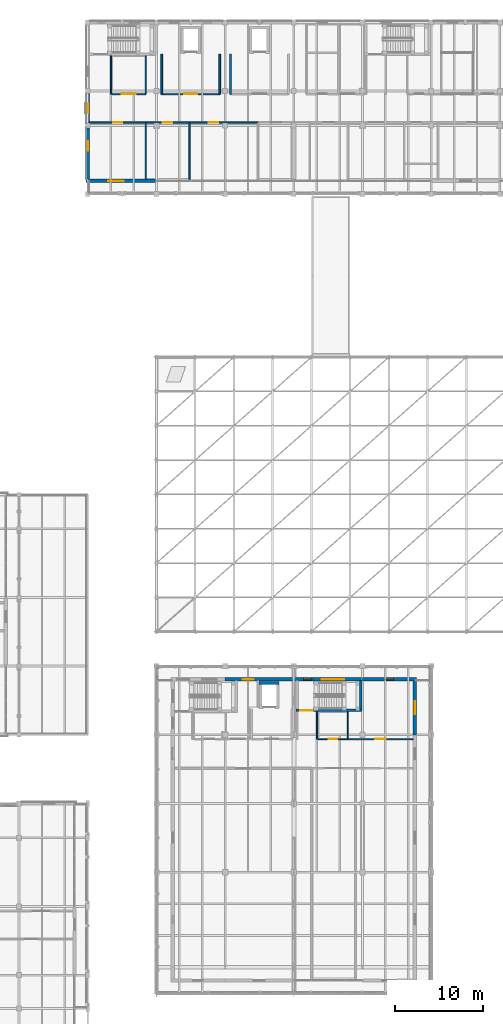
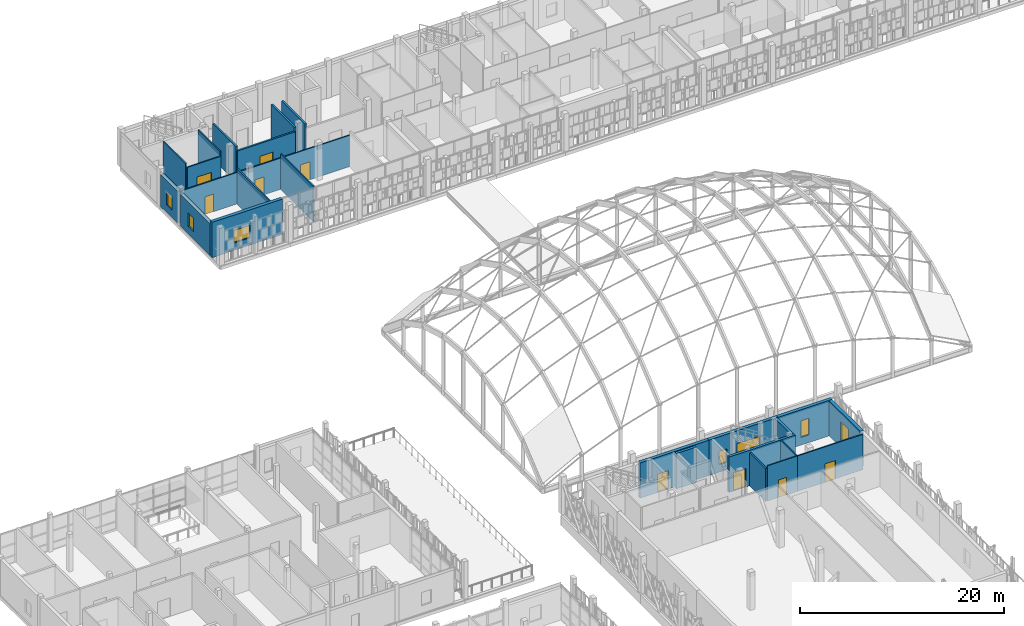
# One storey, part 96 of 119: 26 walls, 9 doors, 7 windows, 16 openings.
"""IFC4 building model written with IfcOpenShell, lengths in metres."""

from ifc_helpers import new_model, si_unit, direction, frame, frame_2d, origin, place, context, subcontext, project, spatial, rectangle, extrude, material, layer, layer_set, type_object, element, fill, save


model = new_model("IFC4")

# Units and contexts
model_context = context("Model", 3, precision=1e-05, world=origin(), true_north=direction((0.0, 1.0)))
body_context = subcontext(model_context, "Body", "Model", "MODEL_VIEW")
ifc_project = project(units=[si_unit("LENGTHUNIT", "METRE"), si_unit("AREAUNIT", "SQUARE_METRE"), si_unit("VOLUMEUNIT", "CUBIC_METRE"), si_unit("PLANEANGLEUNIT", "RADIAN"), si_unit("MASSUNIT", "GRAM", prefix="KILO")], contexts=[model_context])

# Site, building, storey
site_placement = place(None, origin())
site = spatial("IfcSite", under=ifc_project, at=site_placement, CompositionType="ELEMENT")
building_placement = place(site_placement, origin())
building = spatial("IfcBuilding", under=site, at=building_placement, Name="Celorna Specialist Clinic", CompositionType="ELEMENT")
storey_placement = place(building_placement, frame((0.0, 0.0, 9.60009765625)))
storey = spatial("IfcBuildingStorey", under=building, at=storey_placement, Name="L02", CompositionType="ELEMENT", Elevation=9.60009765625)

# Wall, opening, window
ifc_material_1 = material(Name="Terracotta masonry with insulated cavity", Category="masonry")
ifc_layer_1 = layer(ifc_material_1, 0.3798828125, Name="Terracotta masonry with insulated cavity")
ifc_layer_set_1 = layer_set([ifc_layer_1], Name="Terracotta masonry with insulated cavity")
wall_type_1 = type_object("IfcWallType", Name="WT-06", PredefinedType="STANDARD", material=ifc_layer_set_1)
wall_1_placement = place(storey_placement, frame((54.60009765625, 98.0, 0.0), z_axis=(0.0, 0.0, 1.0), x_axis=(-1.0, 0.0, 0.0)))
wall_1 = element("IfcWall", 1, at=wall_1_placement, inside=storey, type_object=wall_type_1, Name="External facade wall WT-06 #230", PredefinedType="STANDARD", context=body_context, shape_type="SweptSolid", body=[
    extrude(rectangle(XDim=7.989990234375, YDim=0.3798828125, at=frame_2d((3.9951171875, 0.0))), origin(), (0.0, 0.0, 1.0), 4.239990234375),
])
opening_1_placement = place(wall_1_placement, frame((3.68994140625, 0.0, 0.89990234375)))
opening_1 = element("IfcOpeningElement", 2, at=opening_1_placement, cuts=wall_1, Name="Opening WN-12", PredefinedType="OPENING", context=body_context, shape_type="SweptSolid", body=[
    extrude(rectangle(XDim=1.800048828125, YDim=1.5, at=frame_2d((0.89990234375, 0.75))), frame((0.0, 0.199951171875, 0.0), z_axis=(0.0, -1.0, 0.0), x_axis=(1.0, 0.0, 0.0)), (0.0, 0.0, 1.0), 0.39990234375),
])
ifc_material_2 = material(Name="Thermally broken aluminium triple-glazed window", Category="aluminium")
window_type_1 = type_object("IfcWindowType", Name="WN-12", PartitioningType="SINGLE_PANEL", PredefinedType="WINDOW", material=ifc_material_2)
window_1_placement = place(opening_1_placement, origin())
window_1 = element("IfcWindow", 3, at=window_1_placement, inside=storey, type_object=window_type_1, Name="Facade window WN-12 #111", OverallHeight=1.5, OverallWidth=1.800048828125, PartitioningType="SINGLE_PANEL", PredefinedType="WINDOW", context=body_context, shape_type="SweptSolid", body=[
    extrude(rectangle(XDim=1.800048828125, YDim=1.5, at=frame_2d((0.89990234375, 0.75))), frame((0.0, 0.030029296875, 0.0), z_axis=(0.0, -1.0, 0.0), x_axis=(1.0, 0.0, 0.0)), (0.0, 0.0, 1.0), 0.06005859375),
])
fill(opening_1, window_1)

wall_2_placement = place(storey_placement, frame((46.800048828125, 98.18994140625, 0.0), z_axis=(0.0, 0.0, 1.0), x_axis=(0.0, 1.0, 0.0)))
wall_2 = element("IfcWall", 4, at=wall_2_placement, inside=storey, type_object=wall_type_1, Name="External facade wall WT-06 #248", PredefinedType="STANDARD", context=body_context, shape_type="SweptSolid", body=[
    extrude(rectangle(XDim=5.8349609375, YDim=0.3798828125, at=frame_2d((2.91748046875, 0.0))), origin(), (0.0, 0.0, 1.0), 3.83984375),
])
opening_2_placement = place(wall_2_placement, frame((3.237548828125, 0.0, 0.89990234375)))
opening_2 = element("IfcOpeningElement", 5, at=opening_2_placement, cuts=wall_2, Name="Opening WN-03", PredefinedType="OPENING", context=body_context, shape_type="SweptSolid", body=[
    extrude(rectangle(XDim=1.10009765625, YDim=1.60009765625, at=frame_2d((0.550048828125, 0.800048828125))), frame((0.0, 0.199951171875, 0.0), z_axis=(0.0, -1.0, 0.0), x_axis=(1.0, 0.0, 0.0)), (0.0, 0.0, 1.0), 0.39990234375),
])
window_type_2 = type_object("IfcWindowType", Name="WN-03", PartitioningType="SINGLE_PANEL", PredefinedType="WINDOW", material=ifc_material_2)
window_2_placement = place(opening_2_placement, origin())
window_2 = element("IfcWindow", 6, at=window_2_placement, inside=storey, type_object=window_type_2, Name="Facade window WN-03 #127", OverallHeight=1.60009765625, OverallWidth=1.10009765625, PartitioningType="SINGLE_PANEL", PredefinedType="WINDOW", context=body_context, shape_type="SweptSolid", body=[
    extrude(rectangle(XDim=1.10009765625, YDim=1.60009765625, at=frame_2d((0.550048828125, 0.800048828125))), frame((0.0, 0.030029296875, 0.0), z_axis=(0.0, -1.0, 0.0), x_axis=(1.0, 0.0, 0.0)), (0.0, 0.0, 1.0), 0.06005859375),
])
fill(opening_2, window_2)

wall_3_placement = place(storey_placement, frame((46.800048828125, 104.574951171875, 0.0), z_axis=(0.0, 0.0, 1.0), x_axis=(0.0, 1.0, 0.0)))
wall_3 = element("IfcWall", 7, at=wall_3_placement, inside=storey, type_object=wall_type_1, Name="External facade wall WT-06 #249", PredefinedType="STANDARD", context=body_context, shape_type="SweptSolid", body=[
    extrude(rectangle(XDim=3.35009765625, YDim=0.3798828125, at=frame_2d((1.675048828125, 0.0))), origin(), (0.0, 0.0, 1.0), 3.83984375),
])
opening_3_placement = place(wall_3_placement, frame((1.14990234375, 0.0, 0.89990234375)))
opening_3 = element("IfcOpeningElement", 8, at=opening_3_placement, cuts=wall_3, Name="Opening WN-21", PredefinedType="OPENING", context=body_context, shape_type="SweptSolid", body=[
    extrude(rectangle(XDim=1.050048828125, YDim=1.64990234375, at=frame_2d((0.52490234375, 0.824951171875))), frame((0.0, 0.199951171875, 0.0), z_axis=(0.0, -1.0, 0.0), x_axis=(1.0, 0.0, 0.0)), (0.0, 0.0, 1.0), 0.39990234375),
])
window_type_3 = type_object("IfcWindowType", Name="WN-21", PartitioningType="SINGLE_PANEL", PredefinedType="WINDOW", material=ifc_material_2)
window_3_placement = place(opening_3_placement, origin())
window_3 = element("IfcWindow", 9, at=window_3_placement, inside=storey, type_object=window_type_3, Name="Facade window WN-21 #128", OverallHeight=1.64990234375, OverallWidth=1.050048828125, PartitioningType="SINGLE_PANEL", PredefinedType="WINDOW", context=body_context, shape_type="SweptSolid", body=[
    extrude(rectangle(XDim=1.050048828125, YDim=1.64990234375, at=frame_2d((0.52490234375, 0.824951171875))), frame((0.0, 0.030029296875, 0.0), z_axis=(0.0, -1.0, 0.0), x_axis=(1.0, 0.0, 0.0)), (0.0, 0.0, 1.0), 0.06005859375),
])
fill(opening_3, window_3)

# Wall, opening, door
wall_4_placement = place(storey_placement, frame((62.39990234375, 41.39990234375, 0.0), z_axis=(0.0, 0.0, 1.0), x_axis=(1.0, 0.0, 0.0)))
wall_4 = element("IfcWall", 10, at=wall_4_placement, inside=storey, type_object=wall_type_1, Name="External facade wall WT-06 #395", PredefinedType="STANDARD", context=body_context, shape_type="SweptSolid", body=[
    extrude(rectangle(XDim=7.800048828125, YDim=0.3798828125, at=frame_2d((3.89990234375, 0.0))), origin(), (0.0, 0.0, 1.0), 4.239990234375),
])
opening_4_placement = place(wall_4_placement, frame((1.97509765625, 0.0, 0.0)))
opening_4 = element("IfcOpeningElement", 11, at=opening_4_placement, cuts=wall_4, Name="Opening DR-13", PredefinedType="OPENING", context=body_context, shape_type="SweptSolid", body=[
    extrude(rectangle(XDim=1.25, YDim=2.199951171875, at=frame_2d((0.625, 1.10009765625))), frame((0.0, 0.199951171875, 0.0), z_axis=(0.0, -1.0, 0.0), x_axis=(1.0, 0.0, 0.0)), (0.0, 0.0, 1.0), 0.39990234375),
])
ifc_material_3 = material(Name="Thermally broken glazed terrace door")
door_type_1 = type_object("IfcDoorType", Name="DR-13", OperationType="NOTDEFINED", PredefinedType="DOOR", material=ifc_material_3)
door_1_placement = place(opening_4_placement, frame((1.25, 0.0, 0.0), z_axis=(0.0, 0.0, 1.0), x_axis=(-1.0, 0.0, 0.0)))
door_1 = element("IfcDoor", 12, at=door_1_placement, inside=storey, type_object=door_type_1, Name="Terrace access door TER-V6-N-L02", OperationType="SINGLE_SWING_LEFT", OverallHeight=2.199951171875, OverallWidth=1.25, PredefinedType="DOOR", context=body_context, shape_type="SweptSolid", body=[
    extrude(rectangle(XDim=1.25, YDim=2.199951171875, at=frame_2d((0.625, 1.10009765625))), frame((0.0, 0.02490234375, 0.0), z_axis=(0.0, -1.0, 0.0), x_axis=(1.0, 0.0, 0.0)), (0.0, 0.0, 1.0), 0.050048828125),
])
fill(opening_4, door_1)

# Wall, openings, windows
wall_5_placement = place(storey_placement, frame((70.199951171875, 41.39990234375, 0.0), z_axis=(0.0, 0.0, 1.0), x_axis=(1.0, 0.0, 0.0)))
wall_5 = element("IfcWall", 13, at=wall_5_placement, inside=storey, type_object=wall_type_1, Name="External facade wall WT-06 #396", PredefinedType="STANDARD", context=body_context, shape_type="SweptSolid", body=[
    extrude(rectangle(XDim=7.800048828125, YDim=0.3798828125, at=frame_2d((3.89990234375, 0.0))), origin(), (0.0, 0.0, 1.0), 4.239990234375),
])
opening_5_placement = place(wall_5_placement, frame((1.114990234375, 0.0, 0.89990234375)))
opening_5 = element("IfcOpeningElement", 14, at=opening_5_placement, cuts=wall_5, Name="Opening WN-01", PredefinedType="OPENING", context=body_context, shape_type="SweptSolid", body=[
    extrude(rectangle(XDim=0.89990234375, YDim=1.60009765625, at=frame_2d((0.449951171875, 0.800048828125))), frame((0.0, 0.199951171875, 0.0), z_axis=(0.0, -1.0, 0.0), x_axis=(1.0, 0.0, 0.0)), (0.0, 0.0, 1.0), 0.39990234375),
])
opening_6_placement = place(wall_5_placement, frame((3.175048828125, 0.0, 0.89990234375)))
opening_6 = element("IfcOpeningElement", 15, at=opening_6_placement, cuts=wall_5, Name="Opening WN-28", PredefinedType="OPENING", context=body_context, shape_type="SweptSolid", body=[
    extrude(rectangle(XDim=2.550048828125, YDim=1.800048828125, at=frame_2d((1.27490234375, 0.89990234375))), frame((0.0, 0.199951171875, 0.0), z_axis=(0.0, -1.0, 0.0), x_axis=(1.0, 0.0, 0.0)), (0.0, 0.0, 1.0), 0.39990234375),
])
window_type_4 = type_object("IfcWindowType", Name="WN-01", PartitioningType="SINGLE_PANEL", PredefinedType="WINDOW", material=ifc_material_2)
window_4_placement = place(opening_5_placement, origin())
window_4 = element("IfcWindow", 16, at=window_4_placement, inside=storey, type_object=window_type_4, Name="Facade window WN-01 #258", OverallHeight=1.60009765625, OverallWidth=0.89990234375, PartitioningType="SINGLE_PANEL", PredefinedType="WINDOW", context=body_context, shape_type="SweptSolid", body=[
    extrude(rectangle(XDim=0.89990234375, YDim=1.60009765625, at=frame_2d((0.449951171875, 0.800048828125))), frame((0.0, 0.030029296875, 0.0), z_axis=(0.0, -1.0, 0.0), x_axis=(1.0, 0.0, 0.0)), (0.0, 0.0, 1.0), 0.06005859375),
])
fill(opening_5, window_4)
ifc_material_4 = material(Name="Panoramic rehabilitation daylight window")
window_type_5 = type_object("IfcWindowType", Name="WN-28", PartitioningType="SINGLE_PANEL", PredefinedType="WINDOW", material=ifc_material_4)
window_5_placement = place(opening_6_placement, origin())
window_5 = element("IfcWindow", 17, at=window_5_placement, inside=storey, type_object=window_type_5, Name="Facade window WN-28 #259", OverallHeight=1.800048828125, OverallWidth=2.550048828125, PartitioningType="SINGLE_PANEL", PredefinedType="WINDOW", context=body_context, shape_type="SweptSolid", body=[
    extrude(rectangle(XDim=2.550048828125, YDim=1.800048828125, at=frame_2d((1.27490234375, 0.89990234375))), frame((0.0, 0.030029296875, 0.0), z_axis=(0.0, -1.0, 0.0), x_axis=(1.0, 0.0, 0.0)), (0.0, 0.0, 1.0), 0.06005859375),
])
fill(opening_6, window_5)

# Wall, opening, window
wall_6_placement = place(storey_placement, frame((78.0, 41.39990234375, 0.0), z_axis=(0.0, 0.0, 1.0), x_axis=(1.0, 0.0, 0.0)))
wall_6 = element("IfcWall", 18, at=wall_6_placement, inside=storey, type_object=wall_type_1, Name="External facade wall WT-06 #397", PredefinedType="STANDARD", context=body_context, shape_type="SweptSolid", body=[
    extrude(rectangle(XDim=6.139892578125, YDim=0.3798828125, at=frame_2d((3.06982421875, 0.0))), origin(), (0.0, 0.0, 1.0), 4.239990234375),
])
opening_7_placement = place(wall_6_placement, frame((2.6201171875, 0.0, 0.89990234375)))
opening_7 = element("IfcOpeningElement", 19, at=opening_7_placement, cuts=wall_6, Name="Opening WN-02", PredefinedType="OPENING", context=body_context, shape_type="SweptSolid", body=[
    extrude(rectangle(XDim=0.89990234375, YDim=2.0, at=frame_2d((0.449951171875, 1.0))), frame((0.0, 0.199951171875, 0.0), z_axis=(0.0, -1.0, 0.0), x_axis=(1.0, 0.0, 0.0)), (0.0, 0.0, 1.0), 0.39990234375),
])
window_type_6 = type_object("IfcWindowType", Name="WN-02", PartitioningType="SINGLE_PANEL", PredefinedType="WINDOW", material=ifc_material_2)
window_6_placement = place(opening_7_placement, origin())
window_6 = element("IfcWindow", 20, at=window_6_placement, inside=storey, type_object=window_type_6, Name="Facade window WN-02 #260", OverallHeight=2.0, OverallWidth=0.89990234375, PartitioningType="SINGLE_PANEL", PredefinedType="WINDOW", context=body_context, shape_type="SweptSolid", body=[
    extrude(rectangle(XDim=0.89990234375, YDim=2.0, at=frame_2d((0.449951171875, 1.0))), frame((0.0, 0.030029296875, 0.0), z_axis=(0.0, -1.0, 0.0), x_axis=(1.0, 0.0, 0.0)), (0.0, 0.0, 1.0), 0.06005859375),
])
fill(opening_7, window_6)

wall_7_placement = place(storey_placement, frame((83.949951171875, 41.2099609375, 0.0), z_axis=(0.0, 0.0, 1.0), x_axis=(0.0, -1.0, 0.0)))
wall_7 = element("IfcWall", 21, at=wall_7_placement, inside=storey, type_object=wall_type_1, Name="External facade wall WT-06 #407", PredefinedType="STANDARD", context=body_context, shape_type="SweptSolid", body=[
    extrude(rectangle(XDim=6.10986328125, YDim=0.3798828125, at=frame_2d((3.054931640625, 0.0))), origin(), (0.0, 0.0, 1.0), 4.239990234375),
])
opening_8_placement = place(wall_7_placement, frame((2.304931640625, 0.0, 0.89990234375)))
opening_8 = element("IfcOpeningElement", 22, at=opening_8_placement, cuts=wall_7, Name="Opening WN-10", PredefinedType="OPENING", context=body_context, shape_type="SweptSolid", body=[
    extrude(rectangle(XDim=1.5, YDim=2.199951171875, at=frame_2d((0.75, 1.10009765625))), frame((0.0, 0.199951171875, 0.0), z_axis=(0.0, -1.0, 0.0), x_axis=(1.0, 0.0, 0.0)), (0.0, 0.0, 1.0), 0.39990234375),
])
window_type_7 = type_object("IfcWindowType", Name="WN-10", PartitioningType="SINGLE_PANEL", PredefinedType="WINDOW", material=ifc_material_2)
window_7_placement = place(opening_8_placement, origin())
window_7 = element("IfcWindow", 23, at=window_7_placement, inside=storey, type_object=window_type_7, Name="Facade window WN-10 #267", OverallHeight=2.199951171875, OverallWidth=1.5, PartitioningType="SINGLE_PANEL", PredefinedType="WINDOW", context=body_context, shape_type="SweptSolid", body=[
    extrude(rectangle(XDim=1.5, YDim=2.199951171875, at=frame_2d((0.75, 1.10009765625))), frame((0.0, 0.030029296875, 0.0), z_axis=(0.0, -1.0, 0.0), x_axis=(1.0, 0.0, 0.0)), (0.0, 0.0, 1.0), 0.06005859375),
])
fill(opening_8, window_7)

# Wall, opening, door
ifc_material_5 = material(Name="Concrete C35/45", Category="concrete")
ifc_layer_2 = layer(ifc_material_5, 0.300048828125, Name="Concrete C35/45")
ifc_layer_set_2 = layer_set([ifc_layer_2], Name="Concrete C35/45")
wall_type_2 = type_object("IfcWallType", Name="WT-08", PredefinedType="SHEAR", material=ifc_layer_set_2)
wall_8_placement = place(storey_placement, frame((70.43994140625, 37.8701171875, 0.0), z_axis=(0.0, 0.0, 1.0), x_axis=(1.0, 0.0, 0.0)))
wall_8 = element("IfcWall", 24, at=wall_8_placement, inside=storey, type_object=wall_type_2, Name="Stair ST-09 RC core wall L02 south", PredefinedType="SHEAR", context=body_context, shape_type="SweptSolid", body=[
    extrude(rectangle(XDim=7.5, YDim=0.300048828125, at=frame_2d((3.75, 0.0))), origin(), (0.0, 0.0, 1.0), 4.239990234375),
])
opening_9_placement = place(wall_8_placement, frame((0.5, 0.0, 0.0)))
opening_9 = element("IfcOpeningElement", 25, at=opening_9_placement, cuts=wall_8, Name="Opening DR-10", PredefinedType="OPENING", context=body_context, shape_type="SweptSolid", body=[
    extrude(rectangle(XDim=1.39990234375, YDim=2.199951171875, at=frame_2d((0.699951171875, 1.10009765625))), frame((0.0, 0.159912109375, 0.0), z_axis=(0.0, -1.0, 0.0), x_axis=(1.0, 0.0, 0.0)), (0.0, 0.0, 1.0), 0.320068359375),
])
ifc_material_6 = material(Name="Protected exit stair fire door")
door_type_2 = type_object("IfcDoorType", Name="DR-10", OperationType="NOTDEFINED", PredefinedType="DOOR", material=ifc_material_6)
door_2_placement = place(opening_9_placement, origin())
door_2 = element("IfcDoor", 26, at=door_2_placement, inside=storey, type_object=door_type_2, Name="Protected exit stair door ST-09 L02", OperationType="SINGLE_SWING_RIGHT", OverallHeight=2.199951171875, OverallWidth=1.39990234375, PredefinedType="DOOR", context=body_context, shape_type="SweptSolid", body=[
    extrude(rectangle(XDim=1.39990234375, YDim=2.199951171875, at=frame_2d((0.699951171875, 1.10009765625))), frame((0.0, 0.02490234375, 0.0), z_axis=(0.0, -1.0, 0.0), x_axis=(1.0, 0.0, 0.0)), (0.0, 0.0, 1.0), 0.050048828125),
])
fill(opening_9, door_2)

# Walls
wall_9_placement = place(storey_placement, frame((77.7900390625, 38.02001953125, 0.0), z_axis=(0.0, 0.0, 1.0), x_axis=(0.0, 1.0, 0.0)))
element("IfcWall", 27, at=wall_9_placement, inside=storey, type_object=wall_type_2, Name="Stair ST-09 RC core wall L02 east", PredefinedType="SHEAR", context=body_context, shape_type="SweptSolid", body=[
    extrude(rectangle(XDim=3.22998046875, YDim=0.300048828125, at=frame_2d((1.614990234375, 0.0))), origin(), (0.0, 0.0, 1.0), 4.239990234375),
])
wall_10_placement = place(storey_placement, frame((68.52490234375, 40.97509765625, 0.0), z_axis=(0.0, 0.0, 1.0), x_axis=(-1.0, 0.0, 0.0)))
element("IfcWall", 28, at=wall_10_placement, inside=storey, type_object=wall_type_2, Name="Lift LF-07 RC shaft wall L02", PredefinedType="SHEAR", context=body_context, shape_type="SweptSolid", body=[
    extrude(rectangle(XDim=2.25, YDim=0.300048828125, at=frame_2d((1.125, 0.0))), origin(), (0.0, 0.0, 1.0), 4.239990234375),
])

# Wall, opening, door
ifc_layer_3 = layer(ifc_material_5, 0.199951171875, Name="Concrete C35/45")
ifc_layer_set_3 = layer_set([ifc_layer_3], Name="Concrete C35/45")
wall_type_3 = type_object("IfcWallType", Name="WT-12", PredefinedType="SOLIDWALL", material=ifc_layer_set_3)
wall_11_placement = place(storey_placement, frame((55.199951171875, 107.85009765625, 0.0), z_axis=(0.0, 0.0, 1.0), x_axis=(1.0, 0.0, 0.0)))
wall_11 = element("IfcWall", 29, at=wall_11_placement, inside=storey, type_object=wall_type_3, Name="Firefighting lobby wall LF-01 L02", PredefinedType="SOLIDWALL", context=body_context, shape_type="SweptSolid", body=[
    extrude(rectangle(XDim=6.60009765625, YDim=0.199951171875, at=frame_2d((3.300048828125, 0.0))), origin(), (0.0, 0.0, 1.0), 3.739990234375),
])
opening_10_placement = place(wall_11_placement, frame((2.550048828125, 0.0, 0.0)))
opening_10 = element("IfcOpeningElement", 30, at=opening_10_placement, cuts=wall_11, Name="Opening DR-11", PredefinedType="OPENING", context=body_context, shape_type="SweptSolid", body=[
    extrude(rectangle(XDim=1.5, YDim=2.199951171875, at=frame_2d((0.75, 1.10009765625))), frame((0.0, 0.10986328125, 0.0), z_axis=(0.0, -1.0, 0.0), x_axis=(1.0, 0.0, 0.0)), (0.0, 0.0, 1.0), 0.219970703125),
])
ifc_material_7 = material(Name="Firefighting lobby double fire door")
door_type_3 = type_object("IfcDoorType", Name="DR-11", OperationType="DOUBLE_DOOR_SINGLE_SWING", PredefinedType="DOOR", material=ifc_material_7)
door_3_placement = place(opening_10_placement, origin())
door_3 = element("IfcDoor", 31, at=door_3_placement, inside=storey, type_object=door_type_3, Name="Firefighting lobby fire door LF-01 L02", OperationType="DOUBLE_DOOR_SINGLE_SWING", OverallHeight=2.199951171875, OverallWidth=1.5, PredefinedType="DOOR", context=body_context, shape_type="SweptSolid", body=[
    extrude(rectangle(XDim=1.5, YDim=2.199951171875, at=frame_2d((0.75, 1.10009765625))), frame((0.0, 0.02490234375, 0.0), z_axis=(0.0, -1.0, 0.0), x_axis=(1.0, 0.0, 0.0)), (0.0, 0.0, 1.0), 0.050048828125),
])
fill(opening_10, door_3)

# Walls
for number, where, z_axis, x_axis, name in (
    (32, (55.199951171875, 112.39990234375, 0.0), (0.0, 0.0, 1.0), (0.0, -1.0, 0.0), "Firefighting lobby wall LF-01 L02"),
    (33, (61.800048828125, 107.85009765625, 0.0), (0.0, 0.0, 1.0), (0.0, 1.0, 0.0), "Firefighting lobby wall LF-01 L02"),
    (34, (63.0, 112.39990234375, 0.0), (0.0, 0.0, 1.0), (0.0, -1.0, 0.0), "Firefighting lobby wall LF-02 L02"),
):
    element("IfcWall", number, at=place(storey_placement, frame(where, z_axis=z_axis, x_axis=x_axis)), inside=storey, type_object=wall_type_3, Name=name, PredefinedType="SOLIDWALL", context=body_context, shape_type="SweptSolid", body=[
        extrude(rectangle(XDim=4.5498046875, YDim=0.199951171875, at=frame_2d((2.27490234375, 0.0))), origin(), (0.0, 0.0, 1.0), 4.239990234375),
    ])
ifc_material_8 = material(Name="Fire-rated gypsum board partition")
ifc_layer_4 = layer(ifc_material_8, 0.14990234375, Name="Fire-rated gypsum board partition")
ifc_layer_set_4 = layer_set([ifc_layer_4], Name="Fire-rated gypsum board partition")
wall_type_4 = type_object("IfcWallType", Name="WT-14", PredefinedType="PARTITIONING", material=ifc_layer_set_4)
wall_12_placement = place(storey_placement, frame((49.43994140625, 107.85009765625, 0.0), z_axis=(0.0, 0.0, 1.0), x_axis=(0.0, 1.0, 0.0)))
element("IfcWall", 35, at=wall_12_placement, inside=storey, type_object=wall_type_4, Name="Corridor spur partition WT-14", PredefinedType="PARTITIONING", context=body_context, shape_type="SweptSolid", body=[
    extrude(rectangle(XDim=4.369873046875, YDim=0.14990234375, at=frame_2d((2.18505859375, 0.0))), origin(), (0.0, 0.0, 1.0), 4.239990234375),
])
wall_13_placement = place(storey_placement, frame((72.840087890625, 34.60009765625, 0.0), z_axis=(0.0, 0.0, 1.0), x_axis=(0.0, 1.0, 0.0)))
element("IfcWall", 36, at=wall_13_placement, inside=storey, type_object=wall_type_4, Name="Corridor spur partition WT-14", PredefinedType="PARTITIONING", context=body_context, shape_type="SweptSolid", body=[
    extrude(rectangle(XDim=3.119873046875, YDim=0.14990234375, at=frame_2d((1.56005859375, 0.0))), origin(), (0.0, 0.0, 1.0), 3.93994140625),
])

# Wall, opening, door
wall_14_placement = place(storey_placement, frame((53.389892578125, 104.64990234375, 0.0), z_axis=(0.0, 0.0, 1.0), x_axis=(-1.0, 0.0, 0.0)))
wall_14 = element("IfcWall", 37, at=wall_14_placement, inside=storey, type_object=wall_type_4, Name="Interior partition WT-14 L02-026", PredefinedType="PARTITIONING", context=body_context, shape_type="SweptSolid", body=[
    extrude(rectangle(XDim=6.39990234375, YDim=0.14990234375, at=frame_2d((3.199951171875, 0.0))), origin(), (0.0, 0.0, 1.0), 3.739990234375),
])
opening_11_placement = place(wall_14_placement, frame((2.699951171875, 0.0, 0.0)))
opening_11 = element("IfcOpeningElement", 38, at=opening_11_placement, cuts=wall_14, Name="Opening DR-04", PredefinedType="OPENING", context=body_context, shape_type="SweptSolid", body=[
    extrude(rectangle(XDim=1.0, YDim=2.10009765625, at=frame_2d((0.5, 1.050048828125))), frame((0.0, 0.0849609375, 0.0), z_axis=(0.0, -1.0, 0.0), x_axis=(1.0, 0.0, 0.0)), (0.0, 0.0, 1.0), 0.169921875),
])
ifc_material_9 = material(Name="Timber consultation suite door", Category="wood")
door_type_4 = type_object("IfcDoorType", Name="DR-04", OperationType="NOTDEFINED", PredefinedType="DOOR", material=ifc_material_9)
door_4_placement = place(opening_11_placement, origin())
door_4 = element("IfcDoor", 39, at=door_4_placement, inside=storey, type_object=door_type_4, Name="Outpatient Clinic door L02-026", OperationType="SINGLE_SWING_LEFT", OverallHeight=2.10009765625, OverallWidth=1.0, PredefinedType="DOOR", context=body_context, shape_type="SweptSolid", body=[
    extrude(rectangle(XDim=1.0, YDim=2.10009765625, at=frame_2d((0.5, 1.050048828125))), frame((0.0, 0.02490234375, 0.0), z_axis=(0.0, -1.0, 0.0), x_axis=(1.0, 0.0, 0.0)), (0.0, 0.0, 1.0), 0.050048828125),
])
fill(opening_11, door_4)

wall_15_placement = place(storey_placement, frame((58.340087890625, 104.64990234375, 0.0), z_axis=(0.0, 0.0, 1.0), x_axis=(-1.0, 0.0, 0.0)))
wall_15 = element("IfcWall", 40, at=wall_15_placement, inside=storey, type_object=wall_type_4, Name="Interior partition WT-14 L02-027", PredefinedType="PARTITIONING", context=body_context, shape_type="SweptSolid", body=[
    extrude(rectangle(XDim=4.9501953125, YDim=0.14990234375, at=frame_2d((2.47509765625, 0.0))), origin(), (0.0, 0.0, 1.0), 3.739990234375),
])
opening_12_placement = place(wall_15_placement, frame((1.949951171875, 0.0, 0.0)))
opening_12 = element("IfcOpeningElement", 41, at=opening_12_placement, cuts=wall_15, Name="Opening DR-05", PredefinedType="OPENING", context=body_context, shape_type="SweptSolid", body=[
    extrude(rectangle(XDim=1.050048828125, YDim=2.14990234375, at=frame_2d((0.52490234375, 1.074951171875))), frame((0.0, 0.0849609375, 0.0), z_axis=(0.0, -1.0, 0.0), x_axis=(1.0, 0.0, 0.0)), (0.0, 0.0, 1.0), 0.169921875),
])
ifc_material_10 = material(Name="Timber examination room door", Category="wood")
door_type_5 = type_object("IfcDoorType", Name="DR-05", OperationType="NOTDEFINED", PredefinedType="DOOR", material=ifc_material_10)
door_5_placement = place(opening_12_placement, origin())
door_5 = element("IfcDoor", 42, at=door_5_placement, inside=storey, type_object=door_type_5, Name="Consulting Room door L02-027", OperationType="SINGLE_SWING_RIGHT", OverallHeight=2.14990234375, OverallWidth=1.050048828125, PredefinedType="DOOR", context=body_context, shape_type="SweptSolid", body=[
    extrude(rectangle(XDim=1.050048828125, YDim=2.14990234375, at=frame_2d((0.52490234375, 1.074951171875))), frame((0.0, 0.02490234375, 0.0), z_axis=(0.0, -1.0, 0.0), x_axis=(1.0, 0.0, 0.0)), (0.0, 0.0, 1.0), 0.050048828125),
])
fill(opening_12, door_5)

wall_16_placement = place(storey_placement, frame((66.139892578125, 104.64990234375, 0.0), z_axis=(0.0, 0.0, 1.0), x_axis=(-1.0, 0.0, 0.0)))
wall_16 = element("IfcWall", 43, at=wall_16_placement, inside=storey, type_object=wall_type_4, Name="Interior partition WT-14 L02-028", PredefinedType="PARTITIONING", context=body_context, shape_type="SweptSolid", body=[
    extrude(rectangle(XDim=7.7998046875, YDim=0.14990234375, at=frame_2d((3.89990234375, 0.0))), origin(), (0.0, 0.0, 1.0), 3.739990234375),
])
opening_13_placement = place(wall_16_placement, frame((4.52001953125, 0.0, 0.0)))
opening_13 = element("IfcOpeningElement", 44, at=opening_13_placement, cuts=wall_16, Name="Opening DR-06", PredefinedType="OPENING", context=body_context, shape_type="SweptSolid", body=[
    extrude(rectangle(XDim=1.10009765625, YDim=2.14990234375, at=frame_2d((0.550048828125, 1.074951171875))), frame((0.0, 0.0849609375, 0.0), z_axis=(0.0, -1.0, 0.0), x_axis=(1.0, 0.0, 0.0)), (0.0, 0.0, 1.0), 0.169921875),
])
ifc_material_11 = material(Name="Clinical treatment suite door")
door_type_6 = type_object("IfcDoorType", Name="DR-06", OperationType="NOTDEFINED", PredefinedType="DOOR", material=ifc_material_11)
door_6_placement = place(opening_13_placement, origin())
door_6 = element("IfcDoor", 45, at=door_6_placement, inside=storey, type_object=door_type_6, Name="Orthopaedic Plaster Treatment Room door L02-028", OperationType="SINGLE_SWING_LEFT", OverallHeight=2.14990234375, OverallWidth=1.10009765625, PredefinedType="DOOR", context=body_context, shape_type="SweptSolid", body=[
    extrude(rectangle(XDim=1.10009765625, YDim=2.14990234375, at=frame_2d((0.550048828125, 1.074951171875))), frame((0.0, 0.02490234375, 0.0), z_axis=(0.0, -1.0, 0.0), x_axis=(1.0, 0.0, 0.0)), (0.0, 0.0, 1.0), 0.050048828125),
])
fill(opening_13, door_6)

wall_17_placement = place(storey_placement, frame((49.56005859375, 107.85009765625, 0.0), z_axis=(0.0, 0.0, 1.0), x_axis=(1.0, 0.0, 0.0)))
wall_17 = element("IfcWall", 46, at=wall_17_placement, inside=storey, type_object=wall_type_4, Name="Interior partition WT-14 L02-041", PredefinedType="PARTITIONING", context=body_context, shape_type="SweptSolid", body=[
    extrude(rectangle(XDim=3.829833984375, YDim=0.14990234375, at=frame_2d((1.9150390625, 0.0))), origin(), (0.0, 0.0, 1.0), 3.739990234375),
])
opening_14_placement = place(wall_17_placement, frame((1.114990234375, 0.0, 0.0)))
opening_14 = element("IfcOpeningElement", 47, at=opening_14_placement, cuts=wall_17, Name="Opening DR-12", PredefinedType="OPENING", context=body_context, shape_type="SweptSolid", body=[
    extrude(rectangle(XDim=1.60009765625, YDim=2.199951171875, at=frame_2d((0.800048828125, 1.10009765625))), frame((0.0, 0.0849609375, 0.0), z_axis=(0.0, -1.0, 0.0), x_axis=(1.0, 0.0, 0.0)), (0.0, 0.0, 1.0), 0.169921875),
])
ifc_material_12 = material(Name="Corridor cross-compartment pair door")
door_type_7 = type_object("IfcDoorType", Name="DR-12", OperationType="DOUBLE_DOOR_SINGLE_SWING", PredefinedType="DOOR", material=ifc_material_12)
door_7_placement = place(opening_14_placement, origin())
door_7 = element("IfcDoor", 48, at=door_7_placement, inside=storey, type_object=door_type_7, Name="Outpatient Waiting Lounge door L02-041", OperationType="DOUBLE_DOOR_SINGLE_SWING", OverallHeight=2.199951171875, OverallWidth=1.60009765625, PredefinedType="DOOR", context=body_context, shape_type="SweptSolid", body=[
    extrude(rectangle(XDim=1.60009765625, YDim=2.199951171875, at=frame_2d((0.800048828125, 1.10009765625))), frame((0.0, 0.02490234375, 0.0), z_axis=(0.0, -1.0, 0.0), x_axis=(1.0, 0.0, 0.0)), (0.0, 0.0, 1.0), 0.050048828125),
])
fill(opening_14, door_7)

wall_18_placement = place(storey_placement, frame((76.340087890625, 34.60009765625, 0.0), z_axis=(0.0, 0.0, 1.0), x_axis=(1.0, 0.0, 0.0)))
wall_18 = element("IfcWall", 49, at=wall_18_placement, inside=storey, type_object=wall_type_4, Name="Interior partition WT-14 L02-071", PredefinedType="PARTITIONING", context=body_context, shape_type="SweptSolid", body=[
    extrude(rectangle(XDim=7.419921875, YDim=0.14990234375, at=frame_2d((3.7099609375, 0.0))), origin(), (0.0, 0.0, 1.0), 4.239990234375),
])
opening_15_placement = place(wall_18_placement, frame((3.135009765625, 0.0, 0.0)))
opening_15 = element("IfcOpeningElement", 50, at=opening_15_placement, cuts=wall_18, Name="Opening DR-07", PredefinedType="OPENING", context=body_context, shape_type="SweptSolid", body=[
    extrude(rectangle(XDim=1.14990234375, YDim=2.199951171875, at=frame_2d((0.574951171875, 1.10009765625))), frame((0.0, 0.0849609375, 0.0), z_axis=(0.0, -1.0, 0.0), x_axis=(1.0, 0.0, 0.0)), (0.0, 0.0, 1.0), 0.169921875),
])
ifc_material_13 = material(Name="Hermetic cleanroom airlock door")
door_type_8 = type_object("IfcDoorType", Name="DR-07", OperationType="NOTDEFINED", PredefinedType="DOOR", material=ifc_material_13)
door_8_placement = place(opening_15_placement, origin())
door_8 = element("IfcDoor", 51, at=door_8_placement, inside=storey, type_object=door_type_8, Name="Clinical Skills Training Room door L02-071", OperationType="SINGLE_SWING_RIGHT", OverallHeight=2.199951171875, OverallWidth=1.14990234375, PredefinedType="DOOR", context=body_context, shape_type="SweptSolid", body=[
    extrude(rectangle(XDim=1.14990234375, YDim=2.199951171875, at=frame_2d((0.574951171875, 1.10009765625))), frame((0.0, 0.02490234375, 0.0), z_axis=(0.0, -1.0, 0.0), x_axis=(1.0, 0.0, 0.0)), (0.0, 0.0, 1.0), 0.050048828125),
])
fill(opening_15, door_8)

# Walls
for number, where, z_axis, x_axis, name in (
    (52, (53.389892578125, 98.18994140625, 0.0), (0.0, 0.0, 1.0), (0.0, 1.0, 0.0), "Room dividing partition WT-14 L02-026"),
    (53, (58.340087890625, 98.18994140625, 0.0), (0.0, 0.0, 1.0), (0.0, 1.0, 0.0), "Room dividing partition WT-14 L02-027"),
):
    element("IfcWall", number, at=place(storey_placement, frame(where, z_axis=z_axis, x_axis=x_axis)), inside=storey, type_object=wall_type_4, Name=name, PredefinedType="PARTITIONING", context=body_context, shape_type="SweptSolid", body=[
        extrude(rectangle(XDim=6.385009765625, YDim=0.14990234375, at=frame_2d((3.1923828125, 0.0))), origin(), (0.0, 0.0, 1.0), 4.239990234375),
    ])
wall_19_placement = place(storey_placement, frame((53.389892578125, 107.925048828125, 0.0), z_axis=(0.0, 0.0, 1.0), x_axis=(0.0, 1.0, 0.0)))
element("IfcWall", 54, at=wall_19_placement, inside=storey, type_object=wall_type_4, Name="Room dividing partition WT-14 L02-041", PredefinedType="PARTITIONING", context=body_context, shape_type="SweptSolid", body=[
    extrude(rectangle(XDim=4.294921875, YDim=0.14990234375, at=frame_2d((2.1474609375, 0.0))), origin(), (0.0, 0.0, 1.0), 4.239990234375),
])

# Wall, opening, door
ifc_material_14 = material(Name="Acoustic gypsum board partition")
ifc_layer_5 = layer(ifc_material_14, 0.1201171875, Name="Acoustic gypsum board partition")
ifc_layer_set_5 = layer_set([ifc_layer_5], Name="Acoustic gypsum board partition")
wall_type_5 = type_object("IfcWallType", Name="WT-15", PredefinedType="PARTITIONING", material=ifc_layer_set_5)
wall_20_placement = place(storey_placement, frame((72.9599609375, 34.60009765625, 0.0), z_axis=(0.0, 0.0, 1.0), x_axis=(1.0, 0.0, 0.0)))
wall_20 = element("IfcWall", 55, at=wall_20_placement, inside=storey, type_object=wall_type_5, Name="Interior partition WT-15 L02-070", PredefinedType="PARTITIONING", context=body_context, shape_type="SweptSolid", body=[
    extrude(rectangle(XDim=3.380126953125, YDim=0.1201171875, at=frame_2d((1.68994140625, 0.0))), origin(), (0.0, 0.0, 1.0), 4.239990234375),
])
opening_16_placement = place(wall_20_placement, frame((1.215087890625, 0.0, 0.0)))
opening_16 = element("IfcOpeningElement", 56, at=opening_16_placement, cuts=wall_20, Name="Opening DR-03", PredefinedType="OPENING", context=body_context, shape_type="SweptSolid", body=[
    extrude(rectangle(XDim=0.949951171875, YDim=2.10009765625, at=frame_2d((0.47509765625, 1.050048828125))), frame((0.0, 0.070068359375, 0.0), z_axis=(0.0, -1.0, 0.0), x_axis=(1.0, 0.0, 0.0)), (0.0, 0.0, 1.0), 0.14013671875),
])
ifc_material_15 = material(Name="Moisture-resistant accessible WC door")
door_type_9 = type_object("IfcDoorType", Name="DR-03", OperationType="NOTDEFINED", PredefinedType="DOOR", material=ifc_material_15)
door_9_placement = place(opening_16_placement, origin())
door_9 = element("IfcDoor", 57, at=door_9_placement, inside=storey, type_object=door_type_9, Name="Public Female WC door L02-070", OperationType="SINGLE_SWING_LEFT", OverallHeight=2.10009765625, OverallWidth=0.949951171875, PredefinedType="DOOR", context=body_context, shape_type="SweptSolid", body=[
    extrude(rectangle(XDim=0.949951171875, YDim=2.10009765625, at=frame_2d((0.47509765625, 1.050048828125))), frame((0.0, 0.02490234375, 0.0), z_axis=(0.0, -1.0, 0.0), x_axis=(1.0, 0.0, 0.0)), (0.0, 0.0, 1.0), 0.050048828125),
])
fill(opening_16, door_9)

# Wall
wall_21_placement = place(storey_placement, frame((76.340087890625, 34.675048828125, 0.0), z_axis=(0.0, 0.0, 1.0), x_axis=(0.0, 1.0, 0.0)))
element("IfcWall", 58, at=wall_21_placement, inside=storey, type_object=wall_type_5, Name="Room dividing partition WT-15 L02-070", PredefinedType="PARTITIONING", context=body_context, shape_type="SweptSolid", body=[
    extrude(rectangle(XDim=3.044921875, YDim=0.1201171875, at=frame_2d((1.5224609375, 0.0))), origin(), (0.0, 0.0, 1.0), 4.239990234375),
])

save(model, "model.ifc")
